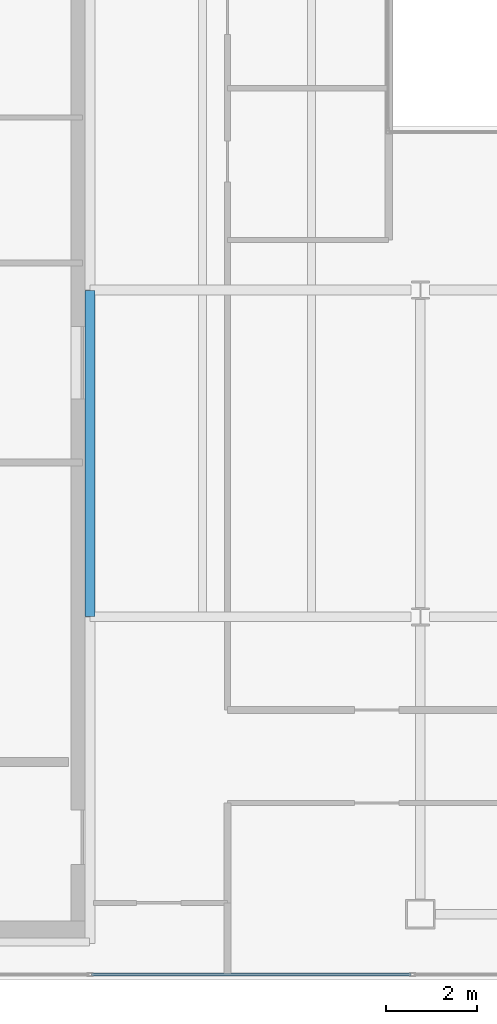
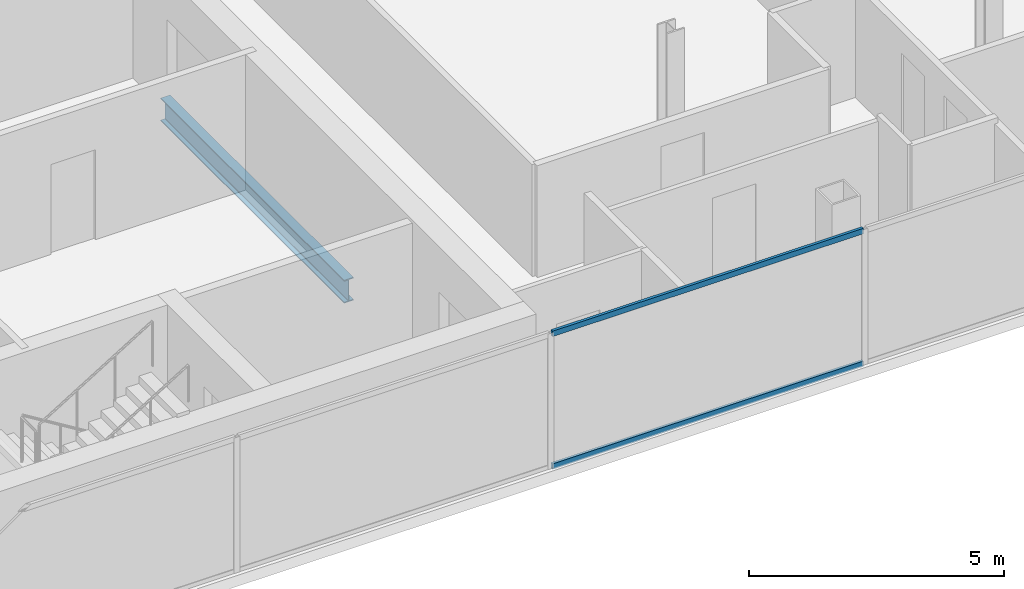
# One storey, part 4 of 24: 2 members, 1 beam, 1 element without a shape of its own.
"""IFC4 building model written with IfcOpenShell, lengths in metres."""

from ifc_helpers import new_model, si_unit, direction, frame, origin, origin_2d, place, context, subcontext, project, spatial, hollow_rectangle, i_section, extrude, material, material_profile, profile_set, type_object, element, aggregate, save


model = new_model("IFC4")

# Units and contexts
model_context = context("Model", 3, precision=1e-05, world=origin(), true_north=direction((0.0, 1.0)))
body_context = subcontext(model_context, "Body", "Model", "MODEL_VIEW")
ifc_project = project(units=[si_unit("LENGTHUNIT", "METRE"), si_unit("AREAUNIT", "SQUARE_METRE"), si_unit("VOLUMEUNIT", "CUBIC_METRE"), si_unit("PLANEANGLEUNIT", "RADIAN"), si_unit("MASSUNIT", "GRAM", prefix="KILO")], contexts=[model_context])

# Site, building, storey
site_placement = place(None, origin())
site = spatial("IfcSite", under=ifc_project, at=site_placement, CompositionType="ELEMENT")
building_placement = place(site_placement, origin())
building = spatial("IfcBuilding", under=site, at=building_placement, Name="Cobrela Telecom Tower", CompositionType="ELEMENT")
storey_placement = place(building_placement, frame((0.0, 0.0, 248.14990234375)))
storey = spatial("IfcBuildingStorey", under=building, at=storey_placement, Name="L64", CompositionType="ELEMENT", Elevation=248.14990234375)

# Beam
ifc_material_1 = material(Name="Steel ASTM A992 Grade 50", Category="steel")
ifc_material_profile_1 = material_profile(ifc_material_1, i_section(OverallWidth=0.212890625, OverallDepth=0.549072265625, WebThickness=0.0146484375, FlangeThickness=0.023681640625, FilletRadius=0.013916015625, at=origin_2d()), Name="W21X93")
ifc_profile_set_1 = profile_set([ifc_material_profile_1], Name="Steel ASTM A992 Grade 50")
beam_type = type_object("IfcBeamType", Name="BM-GIRD-08", PredefinedType="USERDEFINED", material=ifc_profile_set_1)
beam_placement = place(storey_placement, frame((14.320068359375, 14.405029296875, -0.534423828125), z_axis=(0.0, 1.0, 0.0), x_axis=(-1.0, 0.0, 0.0)))
element("IfcBeam", 1, at=beam_placement, inside=storey, type_object=beam_type, Name="L64 Primary Girder Y22", ObjectType="GIRDER", PredefinedType="USERDEFINED", context=body_context, shape_type="SweptSolid", body=[
    extrude(i_section(OverallWidth=0.212890625, OverallDepth=0.549072265625, WebThickness=0.0146484375, FlangeThickness=0.023681640625, FilletRadius=0.013916015625, at=origin_2d()), origin(), (0.0, 0.0, 1.0), 7.18994140625),
])

# Curtain wall, members
ifc_material_2 = material(Name="Anodized Bronze Aluminium 6063-T6", Category="aluminium")
curtain_wall_type = type_object("IfcCurtainWallType", Name="CW-SYS-OFF-HI", PredefinedType="USERDEFINED", material=ifc_material_2)
curtain_wall_placement = place(storey_placement, origin())
curtain_wall = element("IfcCurtainWall", 2, at=curtain_wall_placement, inside=storey, type_object=curtain_wall_type, Name="L64 Unitised Bronze Curtain Wall 15", ObjectType="UNITISED CURTAIN WALL", PredefinedType="USERDEFINED")
ifc_material_profile_2 = material_profile(ifc_material_2, hollow_rectangle(XDim=0.06494140625, YDim=0.1298828125, WallThickness=0.00390625, at=origin_2d()), Name="ALU 65x130x4")
ifc_profile_set_2 = profile_set([ifc_material_profile_2], Name="Anodized Bronze Aluminium 6063-T6")
member_type = type_object("IfcMemberType", Name="CW-SYS-OFF-HI-TRN", PredefinedType="USERDEFINED", material=ifc_profile_set_2)
member_1_placement = place(storey_placement, frame((21.389892578125, 6.52001953125, 0.03271484375), z_axis=(-1.0, 0.0, 0.0), x_axis=(0.0, -1.0, 0.0)))
member_1 = element("IfcMember", 3, at=member_1_placement, type_object=member_type, Name="CW-OFF-HI transom 4.1", ObjectType="TRANSOM", PredefinedType="USERDEFINED", context=body_context, shape_type="SweptSolid", body=[
    extrude(hollow_rectangle(XDim=0.06494140625, YDim=0.1298828125, WallThickness=0.00390625, at=origin_2d()), origin(), (0.0, 0.0, 1.0), 7.031494140625),
])
member_2_placement = place(storey_placement, frame((21.389892578125, 6.52001953125, 3.20751953125), z_axis=(-1.0, 0.0, 0.0), x_axis=(0.0, -1.0, 0.0)))
member_2 = element("IfcMember", 4, at=member_2_placement, type_object=member_type, Name="CW-OFF-HI transom 4.2", ObjectType="TRANSOM", PredefinedType="USERDEFINED", context=body_context, shape_type="SweptSolid", body=[
    extrude(hollow_rectangle(XDim=0.06494140625, YDim=0.1298828125, WallThickness=0.00390625, at=origin_2d()), origin(), (0.0, 0.0, 1.0), 7.031494140625),
])
aggregate(curtain_wall, [member_1, member_2])

save(model, "model.ifc")
